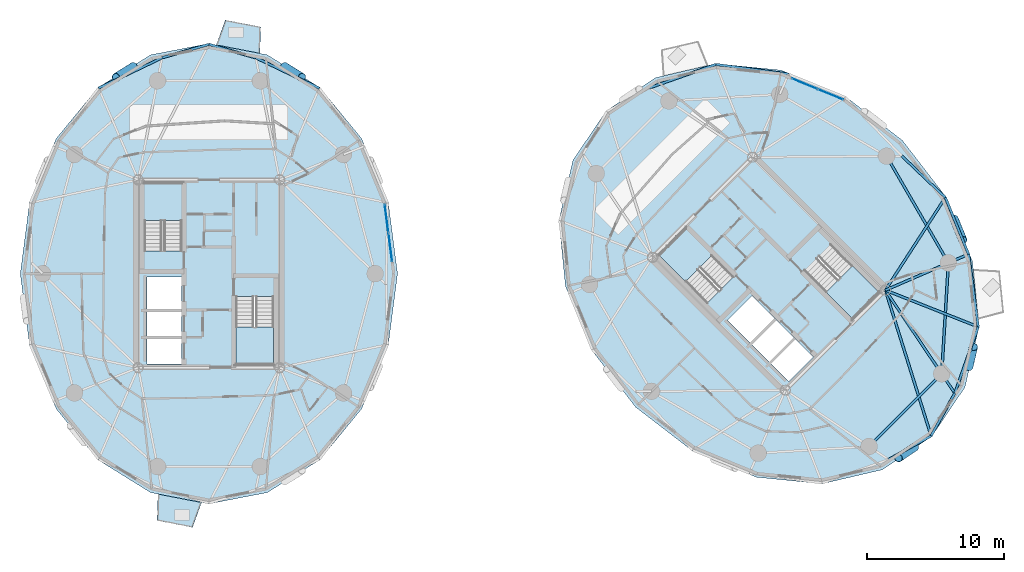
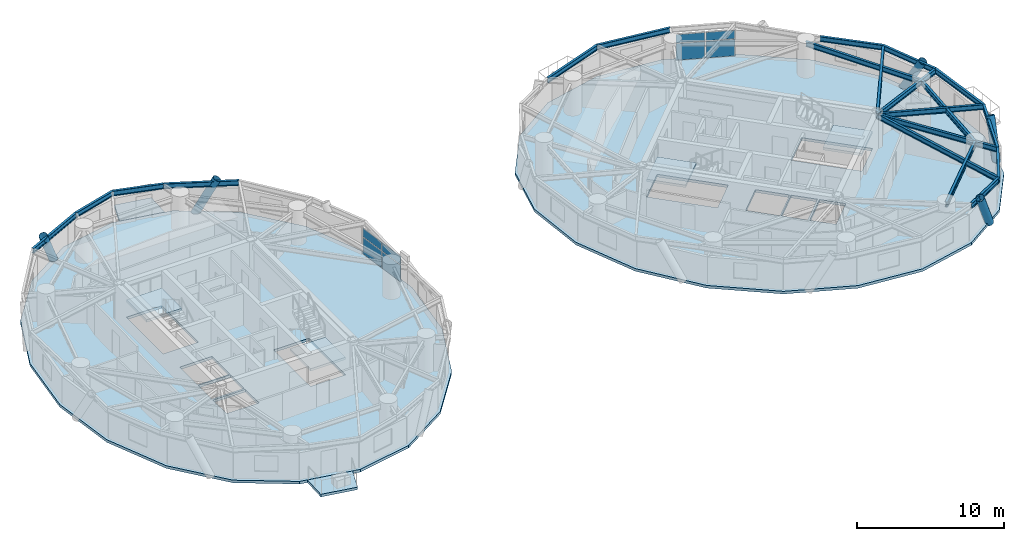
# One storey, part 6 of 16: 20 beams, 8 plates, 8 slabs, 5 members, 6 elements without a shape of their own.
"""IFC4 building model written with IfcOpenShell, lengths in metres."""

from ifc_helpers import new_model, si_unit, direction, frame, origin, origin_2d, place, context, subcontext, project, spatial, polyline, rectangle, hollow_circle, i_section, outline, extrude, source, transform, mapped, material, layer, layer_set, material_profile, profile_set, type_object, element, aggregate, save


model = new_model("IFC4")

# Units and contexts
model_context = context("Model", 3, precision=1e-05, world=origin(), true_north=direction((0.0, 1.0)))
body_context = subcontext(model_context, "Body", "Model", "MODEL_VIEW")
ifc_project = project(units=[si_unit("LENGTHUNIT", "METRE"), si_unit("AREAUNIT", "SQUARE_METRE"), si_unit("VOLUMEUNIT", "CUBIC_METRE"), si_unit("PLANEANGLEUNIT", "RADIAN"), si_unit("MASSUNIT", "GRAM", prefix="KILO")], contexts=[model_context])

# Site, building, storey
site_placement = place(None, origin())
site = spatial("IfcSite", under=ifc_project, at=site_placement, CompositionType="ELEMENT")
building_placement = place(site_placement, origin())
building = spatial("IfcBuilding", under=site, at=building_placement, Name="Cununo Teusaquillo Station Towers", CompositionType="ELEMENT")
storey_placement = place(building_placement, frame((0.0, 0.0, 171.969970703125)))
storey = spatial("IfcBuildingStorey", under=building, at=storey_placement, Name="L54", CompositionType="ELEMENT", Elevation=171.969970703125)

# Beams
ifc_material_1 = material(Name="Steel ASTM A572 Grade 50", Category="steel")
ifc_material_profile_1 = material_profile(ifc_material_1, i_section(OverallWidth=0.180908203125, OverallDepth=0.4169921875, WebThickness=0.010986328125, FlangeThickness=0.018310546875, FilletRadius=0.012939453125, at=origin_2d()), Name="W16X57")
ifc_profile_set_1 = profile_set([ifc_material_profile_1], Name="Steel ASTM A572 Grade 50")
beam_type_1 = type_object("IfcBeamType", Name="BM-JOIST-1", PredefinedType="JOIST", material=ifc_profile_set_1)
beam_1_placement = place(storey_placement, frame((66.024169921875, 23.29443359375, 2.4814453125), z_axis=(0.29947962656, -0.954102695351, 0.0), x_axis=(0.954102695351, 0.29947962656, 0.0)))
element("IfcBeam", 1, at=beam_1_placement, inside=storey, type_object=beam_type_1, Name="L54 Tower B Radial Spandrel Joist V15", PredefinedType="JOIST", context=body_context, shape_type="SweptSolid", body=[
    extrude(i_section(OverallWidth=0.180908203125, OverallDepth=0.4169921875, WebThickness=0.010986328125, FlangeThickness=0.018310546875, FilletRadius=0.012939453125, at=origin_2d()), origin(), (0.0, 0.0, 1.0), 11.179931640625),
])
beam_2_placement = place(storey_placement, frame((66.024169921875, 23.29443359375, 2.4814453125), z_axis=(0.93009004426, -0.367331607091, 0.0), x_axis=(0.367331607091, 0.93009004426, 0.0)))
element("IfcBeam", 2, at=beam_2_placement, inside=storey, type_object=beam_type_1, Name="L54 Tower B Radial Spandrel Joist V17", PredefinedType="JOIST", context=body_context, shape_type="SweptSolid", body=[
    extrude(i_section(OverallWidth=0.180908203125, OverallDepth=0.4169921875, WebThickness=0.010986328125, FlangeThickness=0.018310546875, FilletRadius=0.012939453125, at=origin_2d()), origin(), (0.0, 0.0, 1.0), 7.306884765625),
])
beam_3_placement = place(storey_placement, frame((66.024169921875, 23.29443359375, 2.4814453125), z_axis=(0.543440395394, 0.839447756954, 0.0), x_axis=(-0.839447756954, 0.543440395394, 0.0)))
element("IfcBeam", 3, at=beam_3_placement, inside=storey, type_object=beam_type_1, Name="L54 Tower B Radial Spandrel Joist V19", PredefinedType="JOIST", context=body_context, shape_type="SweptSolid", body=[
    extrude(i_section(OverallWidth=0.180908203125, OverallDepth=0.4169921875, WebThickness=0.010986328125, FlangeThickness=0.018310546875, FilletRadius=0.012939453125, at=origin_2d()), origin(), (0.0, 0.0, 1.0), 8.08203125),
])
ifc_material_2 = material(Name="Steel ASTM A572 Grade 50", Category="steel")
ifc_material_profile_2 = material_profile(ifc_material_2, i_section(OverallWidth=0.180908203125, OverallDepth=0.4169921875, WebThickness=0.010986328125, FlangeThickness=0.018310546875, FilletRadius=0.012939453125, at=origin_2d()), Name="W16X57")
ifc_profile_set_2 = profile_set([ifc_material_profile_2], Name="Steel ASTM A572 Grade 50")
beam_type_2 = type_object("IfcBeamType", Name="BM-RAD-G2", PredefinedType="BEAM", material=ifc_profile_set_2)
beam_4_placement = place(storey_placement, frame((66.024169921875, 23.29443359375, 2.4814453125), z_axis=(0.558570989907, -0.829456719326, 0.0), x_axis=(0.829456719326, 0.558570989907, 0.0)))
element("IfcBeam", 4, at=beam_4_placement, inside=storey, type_object=beam_type_2, Name="L54 Tower B Continuous Overhanging Radial Girder 09", PredefinedType="BEAM", context=body_context, shape_type="SweptSolid", body=[
    extrude(i_section(OverallWidth=0.180908203125, OverallDepth=0.4169921875, WebThickness=0.010986328125, FlangeThickness=0.018310546875, FilletRadius=0.012939453125, at=origin_2d()), origin(), (0.0, 0.0, 1.0), 9.097412109375),
])
beam_5_placement = place(storey_placement, frame((66.024169921875, 23.29443359375, 2.4814453125), z_axis=(0.917664823247, 0.397355347486, 0.0), x_axis=(-0.397355347486, 0.917664823247, 0.0)))
element("IfcBeam", 5, at=beam_5_placement, inside=storey, type_object=beam_type_2, Name="L54 Tower B Continuous Overhanging Radial Girder 10", PredefinedType="BEAM", context=body_context, shape_type="SweptSolid", body=[
    extrude(i_section(OverallWidth=0.180908203125, OverallDepth=0.4169921875, WebThickness=0.010986328125, FlangeThickness=0.018310546875, FilletRadius=0.012939453125, at=origin_2d()), origin(), (0.0, 0.0, 1.0), 6.632080078125),
])
ifc_material_3 = material(Name="Steel ASTM A572 Grade 50", Category="steel")
ifc_material_profile_3 = material_profile(ifc_material_3, i_section(OverallWidth=0.180908203125, OverallDepth=0.4169921875, WebThickness=0.010986328125, FlangeThickness=0.018310546875, FilletRadius=0.012939453125, at=origin_2d()), Name="W16X57")
ifc_profile_set_3 = profile_set([ifc_material_profile_3], Name="Steel ASTM A572 Grade 50")
beam_type_3 = type_object("IfcBeamType", Name="BM-RING-Z3", PredefinedType="SPANDREL", material=ifc_profile_set_3)
beam_6_placement = place(storey_placement, frame((24.58251953125, 38.08349609375, 2.4814453125), z_axis=(-0.902031610991, 0.431669981319, 0.0), x_axis=(-0.431669981319, -0.902031610991, 0.0)))
element("IfcBeam", 6, at=beam_6_placement, inside=storey, type_object=beam_type_3, Name="L54 Tower A Spandrel Ring Beam 04", PredefinedType="SPANDREL", context=body_context, shape_type="SweptSolid", body=[
    extrude(i_section(OverallWidth=0.180908203125, OverallDepth=0.4169921875, WebThickness=0.010986328125, FlangeThickness=0.018310546875, FilletRadius=0.012939453125, at=origin_2d()), origin(), (0.0, 0.0, 1.0), 5.1552734375),
])
for number, where, z_axis, x_axis, name in (
    (7, (19.932373046875, 40.308837890625, 2.4814453125), (-0.961485227168, 0.274856613414, 0.0), (-0.274856613414, -0.961485227168, 0.0), "L54 Tower A Spandrel Ring Beam 05"),
    (8, (16.5, 41.2900390625, 2.4814453125), (-0.961485227168, -0.274856613414, 0.0), (0.274856613414, -0.961485227168, 0.0), "L54 Tower A Spandrel Ring Beam 06"),
):
    element("IfcBeam", number, at=place(storey_placement, frame(where, z_axis=z_axis, x_axis=x_axis)), inside=storey, type_object=beam_type_3, Name=name, PredefinedType="SPANDREL", context=body_context, shape_type="SweptSolid", body=[
        extrude(i_section(OverallWidth=0.180908203125, OverallDepth=0.4169921875, WebThickness=0.010986328125, FlangeThickness=0.018310546875, FilletRadius=0.012939453125, at=origin_2d()), origin(), (0.0, 0.0, 1.0), 3.56982421875),
    ])
beam_7_placement = place(storey_placement, frame((13.067626953125, 40.308837890625, 2.4814453125), z_axis=(-0.902031610991, -0.431669981319, 0.0), x_axis=(0.431669981319, -0.902031610991, 0.0)))
element("IfcBeam", 9, at=beam_7_placement, inside=storey, type_object=beam_type_3, Name="L54 Tower A Spandrel Ring Beam 07", PredefinedType="SPANDREL", context=body_context, shape_type="SweptSolid", body=[
    extrude(i_section(OverallWidth=0.180908203125, OverallDepth=0.4169921875, WebThickness=0.010986328125, FlangeThickness=0.018310546875, FilletRadius=0.012939453125, at=origin_2d()), origin(), (0.0, 0.0, 1.0), 5.1552734375),
])
beam_8_placement = place(storey_placement, frame((64.826904296875, 11.853759765625, 2.4814453125), z_axis=(0.707106781187, 0.707106781187, 0.0), x_axis=(-0.707106781187, 0.707106781187, 0.0)))
element("IfcBeam", 10, at=beam_8_placement, inside=storey, type_object=beam_type_3, Name="L54 Tower B Structural Column Ring Girder 08", PredefinedType="SPANDREL", context=body_context, shape_type="SweptSolid", body=[
    extrude(i_section(OverallWidth=0.180908203125, OverallDepth=0.4169921875, WebThickness=0.010986328125, FlangeThickness=0.018310546875, FilletRadius=0.012939453125, at=origin_2d()), origin(), (0.0, 0.0, 1.0), 7.522705078125),
])
beam_9_placement = place(storey_placement, frame((70.146240234375, 17.173095703125, 2.4814453125), z_axis=(0.06012979176, 0.998190567048, 0.0), x_axis=(-0.998190567048, 0.06012979176, 0.0)))
element("IfcBeam", 11, at=beam_9_placement, inside=storey, type_object=beam_type_3, Name="L54 Tower B Structural Column Ring Girder 09", PredefinedType="SPANDREL", context=body_context, shape_type="SweptSolid", body=[
    extrude(i_section(OverallWidth=0.180908203125, OverallDepth=0.4169921875, WebThickness=0.010986328125, FlangeThickness=0.018310546875, FilletRadius=0.012939453125, at=origin_2d()), origin(), (0.0, 0.0, 1.0), 8.132568359375),
])
beam_10_placement = place(storey_placement, frame((70.63525390625, 25.291015625, 2.4814453125), z_axis=(-0.501311121078, 0.865267103202, 0.0), x_axis=(-0.865267103202, -0.501311121078, 0.0)))
element("IfcBeam", 12, at=beam_10_placement, inside=storey, type_object=beam_type_3, Name="L54 Tower B Structural Column Ring Girder 10", PredefinedType="SPANDREL", context=body_context, shape_type="SweptSolid", body=[
    extrude(i_section(OverallWidth=0.180908203125, OverallDepth=0.4169921875, WebThickness=0.010986328125, FlangeThickness=0.018310546875, FilletRadius=0.012939453125, at=origin_2d()), origin(), (0.0, 0.0, 1.0), 9.032958984375),
])
beam_11_placement = place(storey_placement, frame((58.9296875, 39.110107421875, 2.4814453125), z_axis=(-0.991204443213, 0.132339532096, 0.0), x_axis=(-0.132339532096, -0.991204443213, 0.0)))
element("IfcBeam", 13, at=beam_11_placement, inside=storey, type_object=beam_type_3, Name="L54 Tower B Spandrel Ring Beam 03", PredefinedType="SPANDREL", context=body_context, shape_type="SweptSolid", body=[
    extrude(i_section(OverallWidth=0.180908203125, OverallDepth=0.4169921875, WebThickness=0.010986328125, FlangeThickness=0.018310546875, FilletRadius=0.012939453125, at=origin_2d()), origin(), (0.0, 0.0, 1.0), 5.366455078125),
])
beam_12_placement = place(storey_placement, frame((53.6103515625, 39.8203125, 2.4814453125), z_axis=(-0.943071614141, -0.332589733158, 0.0), x_axis=(0.332589733158, -0.943071614141, 0.0)))
element("IfcBeam", 14, at=beam_12_placement, inside=storey, type_object=beam_type_3, Name="L54 Tower B Spandrel Ring Beam 04", PredefinedType="SPANDREL", context=body_context, shape_type="SweptSolid", body=[
    extrude(i_section(OverallWidth=0.180908203125, OverallDepth=0.4169921875, WebThickness=0.010986328125, FlangeThickness=0.018310546875, FilletRadius=0.012939453125, at=origin_2d()), origin(), (0.0, 0.0, 1.0), 5.1552734375),
])
for number, where, z_axis, x_axis, name in (
    (15, (66.25146484375, 10.894287109375, 2.4814453125), (0.874205659621, 0.485555830659, 0.0), (-0.485555830659, 0.874205659621, 0.0), "L54 Tower B Spandrel Ring Beam 15"),
    (16, (69.372314453125, 12.627685546875, 2.4814453125), (0.485555830659, 0.874205659621, 0.0), (-0.874205659621, 0.485555830659, 0.0), "L54 Tower B Spandrel Ring Beam 16"),
):
    element("IfcBeam", number, at=place(storey_placement, frame(where, z_axis=z_axis, x_axis=x_axis)), inside=storey, type_object=beam_type_3, Name=name, PredefinedType="SPANDREL", context=body_context, shape_type="SweptSolid", body=[
        extrude(i_section(OverallWidth=0.180908203125, OverallDepth=0.4169921875, WebThickness=0.010986328125, FlangeThickness=0.018310546875, FilletRadius=0.012939453125, at=origin_2d()), origin(), (0.0, 0.0, 1.0), 3.56982421875),
    ])
beam_13_placement = place(storey_placement, frame((71.105712890625, 15.74853515625, 2.4814453125), z_axis=(0.332589733158, 0.943071614141, 0.0), x_axis=(-0.943071614141, 0.332589733158, 0.0)))
element("IfcBeam", 17, at=beam_13_placement, inside=storey, type_object=beam_type_3, Name="L54 Tower B Spandrel Ring Beam 17", PredefinedType="SPANDREL", context=body_context, shape_type="SweptSolid", body=[
    extrude(i_section(OverallWidth=0.180908203125, OverallDepth=0.4169921875, WebThickness=0.010986328125, FlangeThickness=0.018310546875, FilletRadius=0.012939453125, at=origin_2d()), origin(), (0.0, 0.0, 1.0), 5.1552734375),
])
beam_14_placement = place(storey_placement, frame((72.8203125, 20.6103515625, 2.4814453125), z_axis=(-0.132339532096, 0.991204443213, 0.0), x_axis=(-0.991204443213, -0.132339532096, 0.0)))
element("IfcBeam", 18, at=beam_14_placement, inside=storey, type_object=beam_type_3, Name="L54 Tower B Spandrel Ring Beam 18", PredefinedType="SPANDREL", context=body_context, shape_type="SweptSolid", body=[
    extrude(i_section(OverallWidth=0.180908203125, OverallDepth=0.4169921875, WebThickness=0.010986328125, FlangeThickness=0.018310546875, FilletRadius=0.012939453125, at=origin_2d()), origin(), (0.0, 0.0, 1.0), 5.366455078125),
])
beam_15_placement = place(storey_placement, frame((72.110107421875, 25.9296875, 2.4814453125), z_axis=(-0.377956082264, 0.925823525235, 0.0), x_axis=(-0.925823525235, -0.377956082264, 0.0)))
element("IfcBeam", 19, at=beam_15_placement, inside=storey, type_object=beam_type_3, Name="L54 Tower B Spandrel Ring Beam 19", PredefinedType="SPANDREL", context=body_context, shape_type="SweptSolid", body=[
    extrude(i_section(OverallWidth=0.180908203125, OverallDepth=0.4169921875, WebThickness=0.010986328125, FlangeThickness=0.018310546875, FilletRadius=0.012939453125, at=origin_2d()), origin(), (0.0, 0.0, 1.0), 4.481689453125),
])
beam_16_placement = place(storey_placement, frame((70.416259765625, 30.078857421875, 2.4814453125), z_axis=(-0.723501643849, 0.690322657421, 0.0), x_axis=(-0.690322657421, -0.723501643849, 0.0)))
element("IfcBeam", 20, at=beam_16_placement, inside=storey, type_object=beam_type_3, Name="L54 Tower B Spandrel Ring Beam 20", PredefinedType="SPANDREL", context=body_context, shape_type="SweptSolid", body=[
    extrude(i_section(OverallWidth=0.180908203125, OverallDepth=0.4169921875, WebThickness=0.010986328125, FlangeThickness=0.018310546875, FilletRadius=0.012939453125, at=origin_2d()), origin(), (0.0, 0.0, 1.0), 4.400146484375),
])

# Members
ifc_material_4 = material(Name="Steel EN 10025-2 S355J2", Category="steel")
ifc_material_profile_4 = material_profile(ifc_material_4, hollow_circle(Radius=0.304931640625, WallThickness=0.02001953125, at=origin_2d()), Name="CHS 610x20")
ifc_profile_set_4 = profile_set([ifc_material_profile_4], Name="Steel EN 10025-2 S355J2")
member_type = type_object("IfcMemberType", Name="MBR-DIAG-Z3", PredefinedType="BRACE", material=ifc_profile_set_4)
for number, where, z_axis, x_axis, name in (
    (21, (22.027099609375, 39.67333984375, -0.139892578125), (0.389992377255, -0.242655299129, 0.888270427003), (0.528291489706, 0.849063072983, 0.0), "L54 Tower A Folded-Zigzag Diagrid Tube C03"),
    (22, (10.972900390625, 39.67333984375, -0.139892578125), (-0.389992377255, -0.242655299129, 0.888270427003), (0.528291489706, -0.849063072983, 0.0), "L54 Tower A Folded-Zigzag Diagrid Tube C06"),
):
    element("IfcMember", number, at=place(storey_placement, frame(where, z_axis=z_axis, x_axis=x_axis)), inside=storey, type_object=member_type, Name=name, PredefinedType="BRACE", context=body_context, shape_type="SweptSolid", body=[
        extrude(hollow_circle(Radius=0.304931640625, WallThickness=0.02001953125, at=origin_2d()), origin(), (0.0, 0.0, 1.0), 3.27587890625),
    ])
member_1_placement = place(storey_placement, frame((68.177001953125, 11.81982421875, -0.139892578125), z_axis=(-0.368023716822, -0.248731715475, 0.895930286112), x_axis=(0.559961028799, -0.828518947416, 0.0)))
element("IfcMember", 23, at=member_1_placement, inside=storey, type_object=member_type, Name="L54 Tower B Folded-Zigzag Diagrid Tube C14", PredefinedType="BRACE", context=body_context, shape_type="SweptSolid", body=[
    extrude(hollow_circle(Radius=0.304931640625, WallThickness=0.02001953125, at=origin_2d()), origin(), (0.0, 0.0, 1.0), 3.247802734375),
])
member_2_placement = place(storey_placement, frame((72.13720703125, 17.67919921875, -0.139892578125), z_axis=(0.104259152832, 0.447367901679, 0.888252210579), x_axis=(-0.973902205409, 0.226968046871, 0.0)))
element("IfcMember", 24, at=member_2_placement, inside=storey, type_object=member_type, Name="L54 Tower B Folded-Zigzag Diagrid Tube C16", PredefinedType="BRACE", context=body_context, shape_type="SweptSolid", body=[
    extrude(hollow_circle(Radius=0.304931640625, WallThickness=0.02001953125, at=origin_2d()), origin(), (0.0, 0.0, 1.0), 3.27587890625),
])
member_3_placement = place(storey_placement, frame((71.05908203125, 28.51513671875, -0.139892578125), z_axis=(0.191014646417, -0.464587085322, 0.864680429411), x_axis=(0.924878366582, 0.380263076079, 0.0)))
element("IfcMember", 25, at=member_3_placement, inside=storey, type_object=member_type, Name="L54 Tower B Folded-Zigzag Diagrid Tube C18", PredefinedType="BRACE", context=body_context, shape_type="SweptSolid", body=[
    extrude(hollow_circle(Radius=0.304931640625, WallThickness=0.02001953125, at=origin_2d()), origin(), (0.0, 0.0, 1.0), 3.365234375),
])

# Slabs
ifc_material_5 = material(Name="Concrete C50/60", Category="concrete")
ifc_layer_1 = layer(ifc_material_5, 0.2099609375)
ifc_layer_set_1 = layer_set([ifc_layer_1], Name="Concrete C50/60")
slab_type_1 = type_object("IfcSlabType", Name="SLB-BAL-210", PredefinedType="FLOOR", material=ifc_layer_set_1)
slab_1_placement = place(storey_placement, frame((0.0, 0.0, -0.2099609375)))
element("IfcSlab", 26, at=slab_1_placement, inside=storey, type_object=slab_type_1, Name="L54 Tower A Sky Garden Terrace Slab 1", PredefinedType="FLOOR", context=body_context, shape_type="SweptSolid", body=[
    extrude(outline(polyline([(20.228759765625, 40.634521484375), (17.041015625, 41.25048828125), (17.69873046875, 43.073974609375), (20.297607421875, 42.57177734375), (20.228759765625, 40.634521484375)])), origin(), (0.0, 0.0, 1.0), 0.2099609375),
])
slab_2_placement = place(storey_placement, frame((0.0, 0.0, -0.2099609375)))
element("IfcSlab", 27, at=slab_2_placement, inside=storey, type_object=slab_type_1, Name="L54 Tower A Tree Balcony Slab 2", PredefinedType="FLOOR", context=body_context, shape_type="SweptSolid", body=[
    extrude(outline(polyline([(12.771240234375, 8.365478515625), (15.958984375, 7.74951171875), (15.30126953125, 5.926025390625), (12.702392578125, 6.42822265625), (12.771240234375, 8.365478515625)])), origin(), (0.0, 0.0, 1.0), 0.2099609375),
])

# Stair, slab
ifc_material_6 = material(Name="Concrete C50/60", Category="concrete")
stair_type = type_object("IfcStairType", Name="ST-TWR-1300", PredefinedType="HALF_TURN_STAIR", material=ifc_material_6)
stair_1_placement = place(storey_placement, origin())
stair_1 = element("IfcStair", 28, at=stair_1_placement, inside=storey, type_object=stair_type, Name="L54 Tower A Protected Core Exit Stair 1", PredefinedType="HALF_TURN_STAIR")
ifc_material_7 = material(Name="Concrete C50/60", Category="concrete")
ifc_layer_2 = layer(ifc_material_7, 0.199951171875)
ifc_layer_set_2 = layer_set([ifc_layer_2], Name="Concrete C50/60")
slab_type_2 = type_object("IfcSlabType", Name="SLB-STAIR-LND", PredefinedType="LANDING", material=ifc_layer_set_2)
slab_3_placement = place(storey_placement, frame((0.0, 0.0, 1.255126953125)))
slab_3 = element("IfcSlab", 29, at=slab_3_placement, type_object=slab_type_2, Name="ST-T1-1 landing 1", PredefinedType="LANDING", context=body_context, shape_type="SweptSolid", body=[
    extrude(outline(polyline([(14.52001953125, 28.409912109375), (14.52001953125, 31.159912109375), (11.760009765625, 31.159912109375), (11.760009765625, 28.409912109375), (14.52001953125, 28.409912109375)])), origin(), (0.0, 0.0, 1.0), 0.199951171875),
])
aggregate(stair_1, [slab_3])

stair_2_placement = place(storey_placement, origin())
stair_2 = element("IfcStair", 30, at=stair_2_placement, inside=storey, type_object=stair_type, Name="L54 Tower A Protected Core Exit Stair 2", PredefinedType="HALF_TURN_STAIR")
slab_4_placement = place(storey_placement, frame((0.0, 0.0, 1.255126953125)))
slab_4 = element("IfcSlab", 31, at=slab_4_placement, type_object=slab_type_2, Name="ST-T1-2 landing 1", PredefinedType="LANDING", context=body_context, shape_type="SweptSolid", body=[
    extrude(outline(polyline([(18.47998046875, 20.590087890625), (18.47998046875, 17.840087890625), (21.239990234375, 17.840087890625), (21.239990234375, 20.590087890625), (18.47998046875, 20.590087890625)])), origin(), (0.0, 0.0, 1.0), 0.199951171875),
])
aggregate(stair_2, [slab_4])

stair_3_placement = place(storey_placement, origin())
stair_3 = element("IfcStair", 32, at=stair_3_placement, inside=storey, type_object=stair_type, Name="L54 Tower B Protected Core Exit Stair 1", PredefinedType="HALF_TURN_STAIR")
slab_5_placement = place(storey_placement, frame((0.0, 0.0, 1.255126953125)))
slab_5 = element("IfcSlab", 33, at=slab_5_placement, type_object=slab_type_2, Name="ST-T2-1 landing 1", PredefinedType="LANDING", context=body_context, shape_type="SweptSolid", body=[
    extrude(outline(polyline([(53.335205078125, 25.86474609375), (51.390625, 27.809326171875), (49.43896484375, 25.857666015625), (51.383544921875, 23.9130859375), (53.335205078125, 25.86474609375)])), origin(), (0.0, 0.0, 1.0), 0.199951171875),
])
aggregate(stair_3, [slab_5])

stair_4_placement = place(storey_placement, origin())
stair_4 = element("IfcStair", 34, at=stair_4_placement, inside=storey, type_object=stair_type, Name="L54 Tower B Protected Core Exit Stair 2", PredefinedType="HALF_TURN_STAIR")
slab_6_placement = place(storey_placement, frame((0.0, 0.0, 1.255126953125)))
slab_6 = element("IfcSlab", 35, at=slab_6_placement, type_object=slab_type_2, Name="ST-T2-2 landing 1", PredefinedType="LANDING", context=body_context, shape_type="SweptSolid", body=[
    extrude(outline(polyline([(61.664794921875, 23.13525390625), (63.609375, 21.190673828125), (65.56103515625, 23.142333984375), (63.616455078125, 25.0869140625), (61.664794921875, 23.13525390625)])), origin(), (0.0, 0.0, 1.0), 0.199951171875),
])
aggregate(stair_4, [slab_6])

# Slabs
ifc_material_8 = material(Name="Concrete C40/50", Category="concrete")
ifc_layer_3 = layer(ifc_material_8, 0.219970703125)
ifc_layer_set_3 = layer_set([ifc_layer_3], Name="Concrete C40/50")
slab_type_3 = type_object("IfcSlabType", Name="SLB-Z3-220", PredefinedType="FLOOR", material=ifc_layer_set_3)
slab_7_placement = place(storey_placement, frame((0.0, 0.0, -0.219970703125)))
element("IfcSlab", 36, at=slab_7_placement, inside=storey, type_object=slab_type_3, Name="L54 Tower A Floor Slab", PredefinedType="FLOOR", context=body_context, shape_type="SweptSolid", body=[
    extrude(outline(polyline([(30.31103515625, 24.5), (29.635009765625, 29.706787109375), (27.67333984375, 34.404296875), (24.617919921875, 38.1318359375), (20.767822265625, 40.525390625), (16.5, 41.35009765625), (12.232177734375, 40.525390625), (8.382080078125, 38.1318359375), (5.32666015625, 34.404296875), (3.364990234375, 29.706787109375), (2.68896484375, 24.5), (3.364990234375, 19.293212890625), (5.32666015625, 14.595703125), (8.382080078125, 10.8681640625), (12.232177734375, 8.474609375), (16.5, 7.64990234375), (20.767822265625, 8.474609375), (24.617919921875, 10.8681640625), (27.67333984375, 14.595703125), (29.635009765625, 19.293212890625), (30.31103515625, 24.5)]), holes=[polyline([(14.52001953125, 26.176025390625), (14.52001953125, 31.159912109375), (11.760009765625, 31.159912109375), (11.760009765625, 26.176025390625), (14.52001953125, 26.176025390625)]), polyline([(18.47998046875, 22.823974609375), (18.47998046875, 17.840087890625), (21.239990234375, 17.840087890625), (21.239990234375, 22.823974609375), (18.47998046875, 22.823974609375)]), polyline([(11.949951171875, 21.85009765625), (14.47998046875, 21.85009765625), (14.47998046875, 24.25), (11.949951171875, 24.25), (11.949951171875, 21.85009765625)]), polyline([(11.949951171875, 17.89990234375), (14.47998046875, 17.89990234375), (14.47998046875, 19.75), (11.949951171875, 19.75), (11.949951171875, 17.89990234375)]), polyline([(11.949951171875, 19.89990234375), (14.47998046875, 19.89990234375), (14.47998046875, 21.75), (11.949951171875, 21.75), (11.949951171875, 19.89990234375)])]), origin(), (0.0, 0.0, 1.0), 0.219970703125),
])
slab_8_placement = place(storey_placement, frame((0.0, 0.0, -0.219970703125)))
element("IfcSlab", 37, at=slab_8_placement, inside=storey, type_object=slab_type_3, Name="L54 Tower B Floor Slab", PredefinedType="FLOOR", context=body_context, shape_type="SweptSolid", body=[
    extrude(outline(polyline([(67.265869140625, 34.265869140625), (63.10595703125, 37.4697265625), (58.3974609375, 39.404052734375), (53.60107421875, 39.87939453125), (49.186279296875, 38.849365234375), (45.585205078125, 36.414794921875), (43.150634765625, 32.813720703125), (42.12060546875, 28.39892578125), (42.595947265625, 23.6025390625), (44.5302734375, 18.89404296875), (47.734130859375, 14.734130859375), (51.89404296875, 11.5302734375), (56.6025390625, 9.595947265625), (61.39892578125, 9.12060546875), (65.813720703125, 10.150634765625), (69.414794921875, 12.585205078125), (71.849365234375, 16.186279296875), (72.87939453125, 20.60107421875), (72.404052734375, 25.3974609375), (70.4697265625, 30.10595703125), (67.265869140625, 34.265869140625)]), holes=[polyline([(54.914794921875, 24.28515625), (51.390625, 27.809326171875), (49.43896484375, 25.857666015625), (52.963134765625, 22.33349609375), (54.914794921875, 24.28515625)]), polyline([(60.085205078125, 24.71484375), (63.609375, 21.190673828125), (65.56103515625, 23.142333984375), (62.036865234375, 26.66650390625), (60.085205078125, 24.71484375)]), polyline([(56.156494140625, 19.40869140625), (57.945556640625, 21.19775390625), (56.248291015625, 22.89501953125), (54.45947265625, 21.10595703125), (56.156494140625, 19.40869140625)]), polyline([(58.94970703125, 16.61572265625), (60.738525390625, 18.40478515625), (59.430419921875, 19.712890625), (57.641357421875, 17.923828125), (58.94970703125, 16.61572265625)]), polyline([(57.535400390625, 18.030029296875), (59.32421875, 19.819091796875), (58.01611328125, 21.127197265625), (56.227294921875, 19.338134765625), (57.535400390625, 18.030029296875)])]), origin(), (0.0, 0.0, 1.0), 0.219970703125),
])

# Curtain wall, plates
ifc_material_9 = material(Name="Operable acoustic tinted low-E double glazing", Category="glass")
ifc_layer_4 = layer(ifc_material_9, 0.179931640625)
ifc_layer_set_4 = layer_set([ifc_layer_4], Name="Operable acoustic tinted low-E double glazing")
curtain_wall_type = type_object("IfcCurtainWallType", Name="CW-SYS-06", PredefinedType="USERDEFINED", material=ifc_layer_set_4)
curtain_wall_1_placement = place(storey_placement, origin())
curtain_wall_1 = element("IfcCurtainWall", 38, at=curtain_wall_1_placement, inside=storey, type_object=curtain_wall_type, Name="L54 Tower A Facade Curtain Wall C00", ObjectType="OPERABLE GLAZING", PredefinedType="USERDEFINED")
ifc_material_10 = material(Name="Operable acoustic tinted low-E double glazing", Category="glass")
ifc_layer_5 = layer(ifc_material_10, 0.031982421875)
ifc_layer_set_5 = layer_set([ifc_layer_5], Name="Operable acoustic tinted low-E double glazing")
plate_type = type_object("IfcPlateType", Name="CWP-OPER-32", PredefinedType="CURTAIN_PANEL", material=ifc_layer_set_5)
shared_shape_1 = source(origin(), body_context, "Body", "SweptSolid", [
    extrude(rectangle(XDim=2.05908203125, YDim=0.031982421875, at=origin_2d()), origin(), (0.0, 0.0, 1.0), 1.361572265625),
])
plate_1_placement = place(storey_placement, frame((29.509033203125, 28.534912109375, 0.06494140625), z_axis=(0.0, 0.0, 1.0), x_axis=(0.128285462927, -0.991737283761, 0.0)))
plate_1 = element("IfcPlate", 39, at=plate_1_placement, type_object=plate_type, Name="CW-06 panel 1.1", PredefinedType="CURTAIN_PANEL", context=body_context, shape_type="MappedRepresentation", body=[
    mapped(shared_shape_1, transform((0.0, 0.0, 0.0), x_axis=(1.0, 0.0, 0.0), y_axis=(0.0, 1.0, 0.0), z_axis=(0.0, 0.0, 1.0), scale=1.0)),
])
plate_2_placement = place(storey_placement, frame((29.781494140625, 26.428466796875, 0.06494140625), z_axis=(0.0, 0.0, 1.0), x_axis=(0.128285462927, -0.991737283761, 0.0)))
plate_2 = element("IfcPlate", 40, at=plate_2_placement, type_object=plate_type, Name="CW-06 panel 2.1", PredefinedType="CURTAIN_PANEL", context=body_context, shape_type="MappedRepresentation", body=[
    mapped(shared_shape_1, transform((0.0, 0.0, 0.0), x_axis=(1.0, 0.0, 0.0), y_axis=(0.0, 1.0, 0.0), z_axis=(0.0, 0.0, 1.0), scale=1.0)),
])
shared_shape_2 = source(origin(), body_context, "Body", "SweptSolid", [
    extrude(rectangle(XDim=2.05908203125, YDim=0.031982421875, at=origin_2d()), origin(), (0.0, 0.0, 1.0), 0.6884765625),
])
plate_3_placement = place(storey_placement, frame((29.509033203125, 28.534912109375, 1.491455078125), z_axis=(0.0, 0.0, 1.0), x_axis=(0.128285462927, -0.991737283761, 0.0)))
plate_3 = element("IfcPlate", 41, at=plate_3_placement, type_object=plate_type, Name="CW-06 panel 1.2", PredefinedType="CURTAIN_PANEL", context=body_context, shape_type="MappedRepresentation", body=[
    mapped(shared_shape_2, transform((0.0, 0.0, 0.0), x_axis=(1.0, 0.0, 0.0), y_axis=(0.0, 1.0, 0.0), z_axis=(0.0, 0.0, 1.0), scale=1.0)),
])
plate_4_placement = place(storey_placement, frame((29.781494140625, 26.428466796875, 1.491455078125), z_axis=(0.0, 0.0, 1.0), x_axis=(0.128285462927, -0.991737283761, 0.0)))
plate_4 = element("IfcPlate", 42, at=plate_4_placement, type_object=plate_type, Name="CW-06 panel 2.2", PredefinedType="CURTAIN_PANEL", context=body_context, shape_type="MappedRepresentation", body=[
    mapped(shared_shape_2, transform((0.0, 0.0, 0.0), x_axis=(1.0, 0.0, 0.0), y_axis=(0.0, 1.0, 0.0), z_axis=(0.0, 0.0, 1.0), scale=1.0)),
])
aggregate(curtain_wall_1, [plate_1, plate_3, plate_2, plate_4])

curtain_wall_2_placement = place(storey_placement, origin())
curtain_wall_2 = element("IfcCurtainWall", 43, at=curtain_wall_2_placement, inside=storey, type_object=curtain_wall_type, Name="L54 Tower B Facade Curtain Wall C01", ObjectType="OPERABLE GLAZING", PredefinedType="USERDEFINED")
shared_shape_3 = source(origin(), body_context, "Body", "SweptSolid", [
    extrude(rectangle(XDim=1.97900390625, YDim=0.031982421875, at=origin_2d()), origin(), (0.0, 0.0, 1.0), 1.361572265625),
])
plate_5_placement = place(storey_placement, frame((60.1142578125, 38.4013671875, 0.06494140625), z_axis=(0.0, 0.0, 1.0), x_axis=(0.924480504803, -0.381229322376, 0.0)))
plate_5 = element("IfcPlate", 44, at=plate_5_placement, type_object=plate_type, Name="CW-06 panel 1.1", PredefinedType="CURTAIN_PANEL", context=body_context, shape_type="MappedRepresentation", body=[
    mapped(shared_shape_3, transform((0.0, 0.0, 0.0), x_axis=(1.0, 0.0, 0.0), y_axis=(0.0, 1.0, 0.0), z_axis=(0.0, 0.0, 1.0), scale=1.0)),
])
plate_6_placement = place(storey_placement, frame((62.00390625, 37.622314453125, 0.06494140625), z_axis=(0.0, 0.0, 1.0), x_axis=(0.924480504803, -0.381229322376, 0.0)))
plate_6 = element("IfcPlate", 45, at=plate_6_placement, type_object=plate_type, Name="CW-06 panel 2.1", PredefinedType="CURTAIN_PANEL", context=body_context, shape_type="MappedRepresentation", body=[
    mapped(shared_shape_3, transform((0.0, 0.0, 0.0), x_axis=(1.0, 0.0, 0.0), y_axis=(0.0, 1.0, 0.0), z_axis=(0.0, 0.0, 1.0), scale=1.0)),
])
shared_shape_4 = source(origin(), body_context, "Body", "SweptSolid", [
    extrude(rectangle(XDim=1.97900390625, YDim=0.031982421875, at=origin_2d()), origin(), (0.0, 0.0, 1.0), 0.6884765625),
])
plate_7_placement = place(storey_placement, frame((60.1142578125, 38.4013671875, 1.491455078125), z_axis=(0.0, 0.0, 1.0), x_axis=(0.924480504803, -0.381229322376, 0.0)))
plate_7 = element("IfcPlate", 46, at=plate_7_placement, type_object=plate_type, Name="CW-06 panel 1.2", PredefinedType="CURTAIN_PANEL", context=body_context, shape_type="MappedRepresentation", body=[
    mapped(shared_shape_4, transform((0.0, 0.0, 0.0), x_axis=(1.0, 0.0, 0.0), y_axis=(0.0, 1.0, 0.0), z_axis=(0.0, 0.0, 1.0), scale=1.0)),
])
plate_8_placement = place(storey_placement, frame((62.00390625, 37.622314453125, 1.491455078125), z_axis=(0.0, 0.0, 1.0), x_axis=(0.924480504803, -0.381229322376, 0.0)))
plate_8 = element("IfcPlate", 47, at=plate_8_placement, type_object=plate_type, Name="CW-06 panel 2.2", PredefinedType="CURTAIN_PANEL", context=body_context, shape_type="MappedRepresentation", body=[
    mapped(shared_shape_4, transform((0.0, 0.0, 0.0), x_axis=(1.0, 0.0, 0.0), y_axis=(0.0, 1.0, 0.0), z_axis=(0.0, 0.0, 1.0), scale=1.0)),
])
aggregate(curtain_wall_2, [plate_5, plate_7, plate_6, plate_8])

save(model, "model.ifc")
